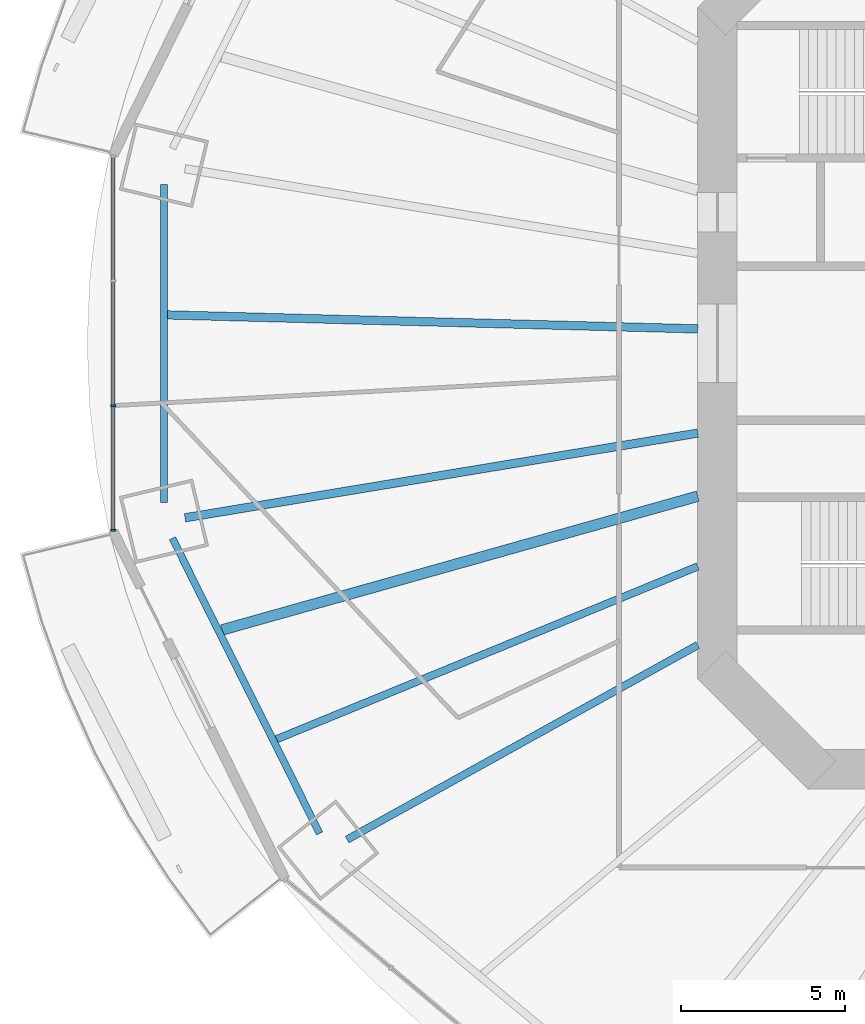
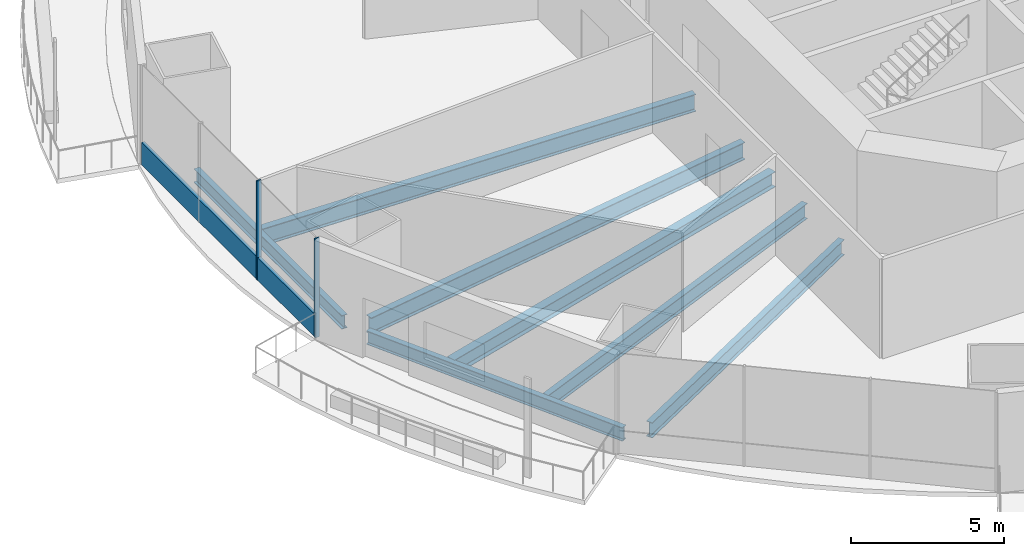
# One storey, part 3 of 22: 7 beams, 3 members, 1 element without a shape of its own.
"""IFC4 building model written with IfcOpenShell, lengths in metres."""

import ifcopenshell
import ifcopenshell.guid

model = None  # the IFC model being written
_history = None  # IfcOwnerHistory: only IFC2X3 demands one
_inside = {}  # id of a spatial element -> (the spatial element, [elements in it])
_under = {}  # id of a project, library or spatial element -> (it, [spatial elements below it])
_declared = {}  # id of a project -> (the project, [libraries it declares])
_typed = {}  # id of a type object -> (the type object, [elements of that type])
_made_of = {}  # id of a material, layer set ... -> (it, [elements and type objects made of it])


def new_model(schema):
    """Start an empty IFC model of exactly this schema.

    Asked for "IFC4X3", IfcOpenShell would pick the latest addendum, in which some entities
    have other attributes; the version numbers below select the first issue.
    IFC2X3 requires an IfcOwnerHistory on every rooted entity: one is made here for all.
    """
    global model, _history
    if schema == "IFC4X3":
        model = ifcopenshell.file(schema_version=(4, 3, 0, 0))
    else:
        model = ifcopenshell.file(schema=schema)
    _inside.clear()
    _under.clear()
    _declared.clear()
    _typed.clear()
    _made_of.clear()
    _history = None
    if model.schema == "IFC2X3":
        org = make("IfcOrganization", Name="unknown")
        user = make(
            "IfcPersonAndOrganization",
            ThePerson=make("IfcPerson", FamilyName="unknown"),
            TheOrganization=org,
        )
        app = make(
            "IfcApplication",
            ApplicationDeveloper=org,
            Version="unknown",
            ApplicationFullName="unknown",
            ApplicationIdentifier="unknown",
        )
        _history = make(
            "IfcOwnerHistory",
            OwningUser=user,
            OwningApplication=app,
            ChangeAction="ADDED",
            CreationDate=0,
        )
    return model


def make(cls, **values):
    """One entity of the class cls with the attributes given. An attribute that is None is left unset."""
    return model.create_entity(
        cls, **{name: value for name, value in values.items() if value is not None}
    )


def rooted(cls, **values):
    """An entity with a GlobalId (a new one), such as an element, a storey or a relation."""
    return make(cls, GlobalId=ifcopenshell.guid.new(), OwnerHistory=_history, **values)


def si_unit(unit_type, name, prefix=None):
    """IfcSIUnit, for example si_unit("LENGTHUNIT", "METRE", prefix="MILLI")."""
    return make("IfcSIUnit", UnitType=unit_type, Prefix=prefix, Name=name)


def assignment(units):
    """IfcUnitAssignment: the units of a project."""
    return None if units is None else make("IfcUnitAssignment", Units=units)


def point(xyz):
    """IfcCartesianPoint."""
    return None if xyz is None else make("IfcCartesianPoint", Coordinates=xyz)


def direction(xyz):
    """IfcDirection."""
    return None if xyz is None else make("IfcDirection", DirectionRatios=xyz)


def frame(location, z_axis=None, x_axis=None):
    """IfcAxis2Placement3D, a coordinate frame: its origin and axes. An axis left out is left unset."""
    return make(
        "IfcAxis2Placement3D",
        Location=point(location),
        Axis=direction(z_axis),
        RefDirection=direction(x_axis),
    )


def frame_2d(location, x_axis=None):
    """IfcAxis2Placement2D, a coordinate frame in the plane: its origin and x axis."""
    return make(
        "IfcAxis2Placement2D", Location=point(location), RefDirection=direction(x_axis)
    )


def origin():
    """The frame at (0, 0, 0) with its axes left unset."""
    return frame((0.0, 0.0, 0.0))


def origin_2d():
    """The frame at (0, 0) in the plane with its x axis left unset."""
    return frame_2d((0.0, 0.0))


def place(relative_to, where):
    """IfcLocalPlacement: puts the frame where relative to a parent placement (None: the world)."""
    return make(
        "IfcLocalPlacement", PlacementRelTo=relative_to, RelativePlacement=where
    )


def context(
    kind, dimensions, precision=None, world=None, true_north=None, identifier=None
):
    """IfcGeometricRepresentationContext, for example the 3D "Model" context."""
    return make(
        "IfcGeometricRepresentationContext",
        ContextIdentifier=identifier,
        ContextType=kind,
        CoordinateSpaceDimension=dimensions,
        Precision=precision,
        WorldCoordinateSystem=world,
        TrueNorth=true_north,
    )


def subcontext(parent, identifier, kind, view, scale=None):
    """IfcGeometricRepresentationSubContext, for example "Body" below "Model"."""
    return make(
        "IfcGeometricRepresentationSubContext",
        ContextIdentifier=identifier,
        ContextType=kind,
        ParentContext=parent,
        TargetScale=scale,
        TargetView=view,
    )


def project(units=None, contexts=None):
    """IfcProject with its units and contexts."""
    return rooted(
        "IfcProject",
        Name="project",
        RepresentationContexts=contexts,
        UnitsInContext=assignment(units),
    )


def spatial(cls, under=None, at=None, **own):
    """A site, building, storey or space (cls), placed at a placement, below another one or the project."""
    s = rooted(cls, ObjectPlacement=at, **own)
    if under is not None:
        _under.setdefault(under.id(), (under, []))[1].append(s)
    return s


def profile(cls, at=None, kind="AREA", **sizes):
    """A parametric profile (cls). Its sizes go by their IFC names, for example OverallWidth=200.0."""
    return make(cls, ProfileType=kind, Position=at, **sizes)


def rectangle(**sizes):
    """IfcRectangleProfileDef."""
    return profile("IfcRectangleProfileDef", **sizes)


def i_section(**sizes):
    """IfcIShapeProfileDef."""
    return profile("IfcIShapeProfileDef", **sizes)


def extrude(swept, where, along, depth):
    """IfcExtrudedAreaSolid: the profile swept, set in the frame where, extruded along a direction by depth."""
    return make(
        "IfcExtrudedAreaSolid",
        SweptArea=swept,
        Position=where,
        ExtrudedDirection=direction(along),
        Depth=depth,
    )


def shape(context_of_items, identifier, shape_type, items):
    """IfcShapeRepresentation: the items that make up one representation, for example the "Body"."""
    return make(
        "IfcShapeRepresentation",
        ContextOfItems=context_of_items,
        RepresentationIdentifier=identifier,
        RepresentationType=shape_type,
        Items=items,
    )


def material(Name=None, Category=None):
    """IfcMaterial."""
    return make("IfcMaterial", Name=Name, Category=Category)


def material_profile(
    of_material, cross_section, Name=None, Category=None, Priority=None
):
    """IfcMaterialProfile: a cross section and its material."""
    return make(
        "IfcMaterialProfile",
        Name=Name,
        Material=of_material,
        Profile=cross_section,
        Priority=Priority,
        Category=Category,
    )


def profile_set(profiles, Name=None, composite=None):
    """IfcMaterialProfileSet."""
    return make(
        "IfcMaterialProfileSet",
        Name=Name,
        MaterialProfiles=profiles,
        CompositeProfile=composite,
    )


def made_of(thing, what):
    """Note that an element or type object is made of a material, layer set ...; save() writes the relation."""
    if what is not None:
        _made_of.setdefault(what.id(), (what, []))[1].append(thing)
    return thing


def type_object(cls, material=None, **own):
    """A type object (cls), such as IfcWallType, which elements share."""
    return made_of(rooted(cls, **own), material)


def element(
    cls,
    number,
    at=None,
    inside=None,
    cuts=None,
    type_object=None,
    material=None,
    context=None,
    identifier="Body",
    shape_type=None,
    held_by="IfcProductDefinitionShape",
    body=None,
    shapes=None,
    **own,
):
    """One element of the class cls, such as IfcWall. Its Tag is "e" and its number.

    at: its placement. inside: the storey or other place that contains it. cuts: it is an
    opening in that element (IfcRelVoidsElement). A single representation is given by context,
    identifier, shape_type and body (its items); several are given by shapes. held_by: the class
    of the entity that holds the representations. save() writes the other relations.
    """
    e = rooted(cls, Tag="e%d" % number, ObjectPlacement=at, **own)
    if body is not None:
        shapes = [shape(context, identifier, shape_type, body)]
    if shapes is not None:
        e.Representation = make(held_by, Representations=shapes)
    if inside is not None:
        _inside.setdefault(inside.id(), (inside, []))[1].append(e)
    if cuts is not None:
        rooted(
            "IfcRelVoidsElement", RelatingBuildingElement=cuts, RelatedOpeningElement=e
        )
    if type_object is not None:
        _typed.setdefault(type_object.id(), (type_object, []))[1].append(e)
    return made_of(e, material)


def aggregate(whole, parts):
    """IfcRelAggregates: a whole, such as a stair, and the parts it consists of."""
    return rooted("IfcRelAggregates", RelatingObject=whole, RelatedObjects=parts)


def save(model, path):
    """Write the relations noted so far, then the file.

    IfcRelAggregates (storeys below a building ...), IfcRelContainedInSpatialStructure (elements
    in a storey), IfcRelDefinesByType, IfcRelAssociatesMaterial and IfcRelDeclares: one each for
    every whole, place, type object, material and project.
    """
    for whole, parts in _under.values():
        aggregate(whole, parts)
    for where, things in _inside.values():
        rooted(
            "IfcRelContainedInSpatialStructure",
            RelatedElements=things,
            RelatingStructure=where,
        )
    for kind, things in _typed.values():
        rooted("IfcRelDefinesByType", RelatedObjects=things, RelatingType=kind)
    for what, things in _made_of.values():
        rooted("IfcRelAssociatesMaterial", RelatedObjects=things, RelatingMaterial=what)
    for by, libraries in _declared.values():
        rooted("IfcRelDeclares", RelatingContext=by, RelatedDefinitions=libraries)
    model.write(path)


model = new_model("IFC4")

# Units and contexts
model_context = context("Model", 3, precision=1e-05, world=origin(), true_north=direction((0.0, 1.0)))
body_context = subcontext(model_context, "Body", "Model", "MODEL_VIEW")
ifc_project = project(units=[si_unit("LENGTHUNIT", "METRE"), si_unit("AREAUNIT", "SQUARE_METRE"), si_unit("VOLUMEUNIT", "CUBIC_METRE"), si_unit("PLANEANGLEUNIT", "RADIAN"), si_unit("MASSUNIT", "GRAM", prefix="KILO")], contexts=[model_context])

# Site, building, storey
site_placement = place(None, origin())
site = spatial("IfcSite", under=ifc_project, at=site_placement, CompositionType="ELEMENT")
building_placement = place(site_placement, origin())
building = spatial("IfcBuilding", under=site, at=building_placement, Name="Marenthal Gate Tower", CompositionType="ELEMENT")
storey_placement = place(building_placement, frame((0.0, 0.0, 86.949951171875)))
storey = spatial("IfcBuildingStorey", under=building, at=storey_placement, Name="L17", CompositionType="ELEMENT", Elevation=86.949951171875)

# Curtain wall, members
ifc_material_1 = material(Name="Aluminium and glass", Category="aluminium")
curtain_wall_type = type_object("IfcCurtainWallType", Name="Curtain wall typical low", PredefinedType="NOTDEFINED", material=ifc_material_1)
curtain_wall_placement = place(storey_placement, origin())
curtain_wall = element("IfcCurtainWall", 1, at=curtain_wall_placement, inside=storey, type_object=curtain_wall_type, Name="Curtain wall L17 bay 8", PredefinedType="NOTDEFINED")
ifc_material_2 = material(Name="Aluminium", Category="aluminium")
ifc_material_profile_1 = material_profile(ifc_material_2, rectangle(XDim=0.159912109375, YDim=0.06005859375, at=origin_2d()), Name="60x160 aluminium mullion")
ifc_profile_set_1 = profile_set([ifc_material_profile_1], Name="Aluminium")
member_type_1 = type_object("IfcMemberType", Name="Mullion 60x160 typical low", PredefinedType="MULLION", material=ifc_profile_set_1)
member_1_placement = place(storey_placement, frame((-34.436279296875, -1.903076171875, 0.0), z_axis=(0.0, 0.0, 1.0), x_axis=(1.0, 0.0, 0.0)))
member_1 = element("IfcMember", 2, at=member_1_placement, type_object=member_type_1, Name="Mullion L17 bay 8.3", PredefinedType="MULLION", context=body_context, shape_type="SweptSolid", body=[
    extrude(rectangle(XDim=0.159912109375, YDim=0.06005859375, at=origin_2d()), origin(), (0.0, 0.0, 1.0), 3.969970703125),
])
member_2_placement = place(storey_placement, frame((-34.436279296875, -5.709228515625, 0.0), z_axis=(0.0, 0.0, 1.0), x_axis=(1.0, 0.0, 0.0)))
member_2 = element("IfcMember", 3, at=member_2_placement, type_object=member_type_1, Name="Mullion L17 bay 8.4", PredefinedType="MULLION", context=body_context, shape_type="SweptSolid", body=[
    extrude(rectangle(XDim=0.159912109375, YDim=0.06005859375, at=origin_2d()), origin(), (0.0, 0.0, 1.0), 3.969970703125),
])
ifc_material_3 = material(Name="Aluminium", Category="aluminium")
ifc_material_profile_2 = material_profile(ifc_material_3, rectangle(XDim=0.1201171875, YDim=0.89990234375, at=origin_2d()), Name="120x900 aluminium transom")
ifc_profile_set_2 = profile_set([ifc_material_profile_2], Name="Aluminium")
member_type_2 = type_object("IfcMemberType", Name="Transom 120x900 typical low", PredefinedType="USERDEFINED", material=ifc_profile_set_2)
member_3_placement = place(storey_placement, frame((-34.436279296875, 5.67919921875, 0.449951171875), z_axis=(0.0, -1.0, 0.0), x_axis=(1.0, 0.0, 0.0)))
member_3 = element("IfcMember", 4, at=member_3_placement, type_object=member_type_2, Name="Transom L17 bay 8", ObjectType="TRANSOM", PredefinedType="USERDEFINED", context=body_context, shape_type="SweptSolid", body=[
    extrude(rectangle(XDim=0.1201171875, YDim=0.89990234375, at=origin_2d()), origin(), (0.0, 0.0, 1.0), 11.3583984375),
])
aggregate(curtain_wall, [member_1, member_2, member_3])

# Beams
ifc_material_4 = material(Name="Steel S355", Category="steel")
ifc_material_profile_3 = material_profile(ifc_material_4, i_section(OverallWidth=0.2119140625, OverallDepth=0.5439453125, WebThickness=0.01318359375, FlangeThickness=0.021240234375, FilletRadius=0.0126953125, at=origin_2d()), Name="W530X123")
ifc_profile_set_3 = profile_set([ifc_material_profile_3], Name="Steel S355")
beam_type_1 = type_object("IfcBeamType", Name="W530X123 beam", PredefinedType="BEAM", material=ifc_profile_set_3)
beam_1_placement = place(storey_placement, frame((-32.88671875, 4.851318359375, -0.451904296875), z_axis=(0.0, -1.0, 0.0), x_axis=(1.0, 0.0, 0.0)))
element("IfcBeam", 5, at=beam_1_placement, inside=storey, type_object=beam_type_1, Name="BM-L17-48", PredefinedType="BEAM", context=body_context, shape_type="SweptSolid", body=[
    extrude(i_section(OverallWidth=0.2119140625, OverallDepth=0.5439453125, WebThickness=0.01318359375, FlangeThickness=0.021240234375, FilletRadius=0.0126953125, at=origin_2d()), origin(), (0.0, 0.0, 1.0), 9.70263671875),
])
beam_2_placement = place(storey_placement, frame((-32.628662109375, -5.947998046875, -0.451904296875), z_axis=(0.446427279823, -0.894819916983, 0.0), x_axis=(0.894819916983, 0.446427279823, 0.0)))
element("IfcBeam", 6, at=beam_2_placement, inside=storey, type_object=beam_type_1, Name="BM-L17-49", PredefinedType="BEAM", context=body_context, shape_type="SweptSolid", body=[
    extrude(i_section(OverallWidth=0.2119140625, OverallDepth=0.5439453125, WebThickness=0.01318359375, FlangeThickness=0.021240234375, FilletRadius=0.0126953125, at=origin_2d()), origin(), (0.0, 0.0, 1.0), 10.06201171875),
])
ifc_material_5 = material(Name="Steel S355", Category="steel")
ifc_material_profile_4 = material_profile(ifc_material_5, i_section(OverallWidth=0.22900390625, OverallDepth=0.612060546875, WebThickness=0.011962890625, FlangeThickness=0.01953125, FilletRadius=0.0126953125, at=origin_2d()), Name="W610X125")
ifc_profile_set_4 = profile_set([ifc_material_profile_4], Name="Steel S355")
beam_type_2 = type_object("IfcBeamType", Name="W610X125 beam", PredefinedType="BEAM", material=ifc_profile_set_4)
beam_3_placement = place(storey_placement, frame((-27.296630859375, -15.142333984375, -0.48583984375), z_axis=(0.874458374023, 0.485100558752, 0.0), x_axis=(-0.485100558752, 0.874458374023, 0.0)))
element("IfcBeam", 7, at=beam_3_placement, inside=storey, type_object=beam_type_2, Name="BM-L17-10", PredefinedType="BEAM", context=body_context, shape_type="SweptSolid", body=[
    extrude(i_section(OverallWidth=0.22900390625, OverallDepth=0.612060546875, WebThickness=0.011962890625, FlangeThickness=0.01953125, FilletRadius=0.0126953125, at=origin_2d()), origin(), (0.0, 0.0, 1.0), 12.232177734375),
])
beam_4_placement = place(storey_placement, frame((-29.45068359375, -12.08056640625, -0.48583984375), z_axis=(0.925188716507, 0.379507363365, 0.0), x_axis=(-0.379507363365, 0.925188716507, 0.0)))
element("IfcBeam", 8, at=beam_4_placement, inside=storey, type_object=beam_type_2, Name="BM-L17-30", PredefinedType="BEAM", context=body_context, shape_type="SweptSolid", body=[
    extrude(i_section(OverallWidth=0.22900390625, OverallDepth=0.612060546875, WebThickness=0.011962890625, FlangeThickness=0.01953125, FilletRadius=0.0126953125, at=origin_2d()), origin(), (0.0, 0.0, 1.0), 13.8896484375),
])
ifc_material_6 = material(Name="Steel S355", Category="steel")
ifc_material_profile_5 = material_profile(ifc_material_6, i_section(OverallWidth=0.324951171875, OverallDepth=0.612060546875, WebThickness=0.0126953125, FlangeThickness=0.01904296875, FilletRadius=0.0126953125, at=origin_2d()), Name="W610X155")
ifc_profile_set_5 = profile_set([ifc_material_profile_5], Name="Steel S355")
beam_type_3 = type_object("IfcBeamType", Name="W610X155 beam", PredefinedType="BEAM", material=ifc_profile_set_5)
beam_5_placement = place(storey_placement, frame((-31.114013671875, -8.74658203125, -0.48583984375), z_axis=(0.962684828959, 0.270625054443, 0.0), x_axis=(-0.270625054443, 0.962684828959, 0.0)))
element("IfcBeam", 9, at=beam_5_placement, inside=storey, type_object=beam_type_3, Name="BM-L17-29", PredefinedType="BEAM", context=body_context, shape_type="SweptSolid", body=[
    extrude(i_section(OverallWidth=0.324951171875, OverallDepth=0.612060546875, WebThickness=0.0126953125, FlangeThickness=0.01904296875, FilletRadius=0.0126953125, at=origin_2d()), origin(), (0.0, 0.0, 1.0), 15.076416015625),
])
ifc_material_7 = material(Name="Steel S355", Category="steel")
ifc_material_profile_6 = material_profile(ifc_material_7, i_section(OverallWidth=0.257080078125, OverallDepth=0.693115234375, WebThickness=0.014404296875, FlangeThickness=0.023681640625, FilletRadius=0.015380859375, at=origin_2d()), Name="W690X170")
ifc_profile_set_6 = profile_set([ifc_material_profile_6], Name="Steel S355")
beam_type_4 = type_object("IfcBeamType", Name="W690X170 beam", PredefinedType="BEAM", material=ifc_profile_set_6)
beam_6_placement = place(storey_placement, frame((-32.242431640625, -5.324462890625, -0.5263671875), z_axis=(0.986636314494, 0.162937972619, 0.0), x_axis=(-0.162937972619, 0.986636314494, 0.0)))
element("IfcBeam", 10, at=beam_6_placement, inside=storey, type_object=beam_type_4, Name="BM-L17-09", PredefinedType="BEAM", context=body_context, shape_type="SweptSolid", body=[
    extrude(i_section(OverallWidth=0.257080078125, OverallDepth=0.693115234375, WebThickness=0.014404296875, FlangeThickness=0.023681640625, FilletRadius=0.015380859375, at=origin_2d()), origin(), (0.0, 0.0, 1.0), 15.854248046875),
])
beam_7_placement = place(storey_placement, frame((-32.78076171875, 0.8662109375, -0.5263671875), z_axis=(0.999651179151, -0.026410604362, 0.0), x_axis=(0.026410604362, 0.999651179151, 0.0)))
element("IfcBeam", 11, at=beam_7_placement, inside=storey, type_object=beam_type_4, Name="BM-L17-28", PredefinedType="BEAM", context=body_context, shape_type="SweptSolid", body=[
    extrude(i_section(OverallWidth=0.257080078125, OverallDepth=0.693115234375, WebThickness=0.014404296875, FlangeThickness=0.023681640625, FilletRadius=0.015380859375, at=origin_2d()), origin(), (0.0, 0.0, 1.0), 16.186279296875),
])

save(model, "model.ifc")
